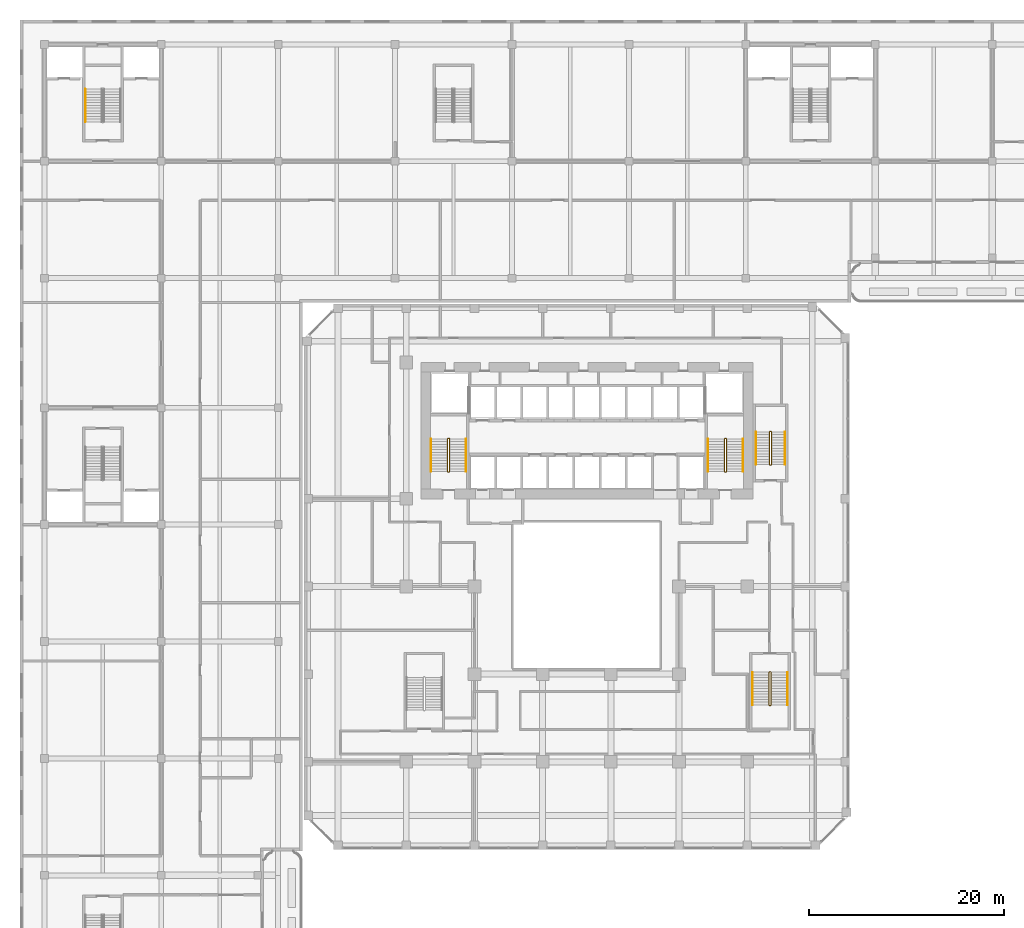
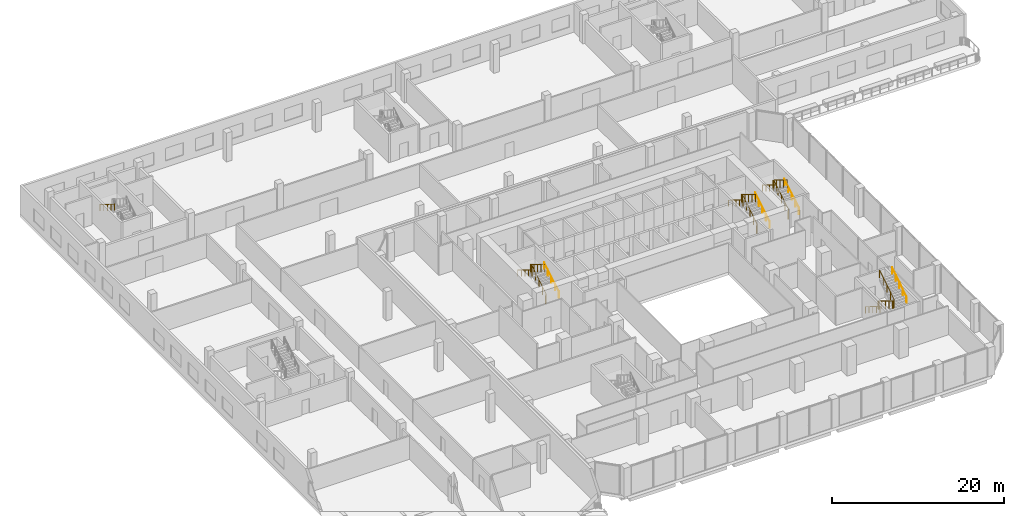
# One storey, part 30 of 35: 13 railings.
"""IFC4 building model written with IfcOpenShell, lengths in metres."""

from ifc_helpers import new_model, si_unit, direction, frame, origin, origin_2d, place, context, subcontext, project, spatial, circle, extrude, material, type_object, element, save


model = new_model("IFC4")

# Units and contexts
model_context = context("Model", 3, precision=1e-05, world=origin(), true_north=direction((0.0, 1.0)))
body_context = subcontext(model_context, "Body", "Model", "MODEL_VIEW")
ifc_project = project(units=[si_unit("LENGTHUNIT", "METRE"), si_unit("AREAUNIT", "SQUARE_METRE"), si_unit("VOLUMEUNIT", "CUBIC_METRE"), si_unit("PLANEANGLEUNIT", "RADIAN"), si_unit("MASSUNIT", "GRAM", prefix="KILO")], contexts=[model_context])

# Site, building, storey
site_placement = place(None, origin())
site = spatial("IfcSite", under=ifc_project, at=site_placement, CompositionType="ELEMENT")
building_placement = place(site_placement, origin())
building = spatial("IfcBuilding", under=site, at=building_placement, Name="Kilnfold Tower and Market Hall", CompositionType="ELEMENT")
storey_placement = place(building_placement, frame((0.0, 0.0, 13.5)))
storey = spatial("IfcBuildingStorey", under=building, at=storey_placement, Name="L02", CompositionType="ELEMENT", Elevation=13.5)

# Railings
ifc_material_1 = material(Name="Stainless steel 316", Category="steel")
railing_type_1 = type_object("IfcRailingType", Name="CORE STAIR GUARD 1100", PredefinedType="GUARDRAIL", material=ifc_material_1)
railing_1_placement = place(storey_placement, frame((-13.199951171875, 10.75, 0.0)))
element("IfcRailing", 1, at=railing_1_placement, inside=storey, type_object=railing_type_1, Name="L02 ST1 stair guard 1", PredefinedType="GUARDRAIL", context=body_context, shape_type="SweptSolid", body=[
    extrude(circle(Radius=0.02392578125, at=origin_2d()), frame((0.0, 0.0, 1.076171875), z_axis=(1.0, 0.0, 0.0), x_axis=(0.0, 1.0, 0.0)), (0.0, 0.0, 1.0), 0.099853515625),
    extrude(circle(Radius=0.02392578125, at=origin_2d()), frame((0.099853515625, 0.0, 1.076171875), z_axis=(0.267629722418, 0.267629722418, 0.925607186314), x_axis=(-0.707106781187, 0.707106781187, 0.0)), (0.0, 0.0, 1.0), 0.18701171875),
    extrude(circle(Radius=0.02392578125, at=origin_2d()), frame((0.14990234375, 0.050048828125, 1.2490234375), z_axis=(0.0, 0.850606129759, 0.525803396734), x_axis=(-1.0, 0.0, 0.0)), (0.0, 0.0, 1.0), 3.949951171875),
    extrude(circle(Radius=0.02392578125, at=origin_2d()), frame((0.14990234375, 3.409912109375, 3.326171875), z_axis=(-0.707106781187, 0.707106781187, 0.0), x_axis=(-0.707106781187, -0.707106781187, 0.0)), (0.0, 0.0, 1.0), 0.07080078125),
    extrude(circle(Radius=0.02392578125, at=origin_2d()), frame((0.099853515625, 3.4599609375, 3.326171875), z_axis=(-1.0, 0.0, 0.0), x_axis=(0.0, -1.0, 0.0)), (0.0, 0.0, 1.0), 0.099853515625),
    extrude(circle(Radius=0.02392578125, at=origin_2d()), frame((0.0, 3.4599609375, 3.326171875), z_axis=(-0.267629722418, -0.267629722418, 0.925607186314), x_axis=(0.707106781187, -0.707106781187, 0.0)), (0.0, 0.0, 1.0), 0.18701171875),
    extrude(circle(Radius=0.02392578125, at=origin_2d()), frame((-0.050048828125, 3.409912109375, 3.4990234375), z_axis=(0.0, -0.850606129759, 0.525803396734), x_axis=(1.0, 0.0, 0.0)), (0.0, 0.0, 1.0), 3.949951171875),
    extrude(circle(Radius=0.02099609375, at=origin_2d()), origin(), (0.0, 0.0, 1.0), 1.052001953125),
    extrude(circle(Radius=0.02099609375, at=origin_2d()), frame((0.099853515625, 0.0, 0.0)), (0.0, 0.0, 1.0), 1.052001953125),
    extrude(circle(Radius=0.02099609375, at=origin_2d()), frame((0.14990234375, 0.050048828125, 0.173095703125)), (0.0, 0.0, 1.0), 1.052001953125),
    extrude(circle(Radius=0.02099609375, at=origin_2d()), frame((0.14990234375, 0.89013671875, 0.6923828125)), (0.0, 0.0, 1.0), 1.052001953125),
    extrude(circle(Radius=0.02099609375, at=origin_2d()), frame((0.14990234375, 1.72998046875, 1.21142578125)), (0.0, 0.0, 1.0), 1.052001953125),
    extrude(circle(Radius=0.02099609375, at=origin_2d()), frame((0.14990234375, 2.56982421875, 1.730712890625)), (0.0, 0.0, 1.0), 1.052001953125),
    extrude(circle(Radius=0.02099609375, at=origin_2d()), frame((0.14990234375, 3.409912109375, 2.25)), (0.0, 0.0, 1.0), 1.052001953125),
    extrude(circle(Radius=0.02099609375, at=origin_2d()), frame((0.099853515625, 3.4599609375, 2.25)), (0.0, 0.0, 1.0), 1.052001953125),
    extrude(circle(Radius=0.02099609375, at=origin_2d()), frame((0.0, 3.4599609375, 2.25)), (0.0, 0.0, 1.0), 1.052001953125),
    extrude(circle(Radius=0.02099609375, at=origin_2d()), frame((-0.050048828125, 3.409912109375, 2.423095703125)), (0.0, 0.0, 1.0), 1.052001953125),
    extrude(circle(Radius=0.02099609375, at=origin_2d()), frame((-0.050048828125, 2.56982421875, 2.9423828125)), (0.0, 0.0, 1.0), 1.052001953125),
    extrude(circle(Radius=0.02099609375, at=origin_2d()), frame((-0.050048828125, 1.72998046875, 3.46142578125)), (0.0, 0.0, 1.0), 1.052001953125),
    extrude(circle(Radius=0.02099609375, at=origin_2d()), frame((-0.050048828125, 0.89013671875, 3.980712890625)), (0.0, 0.0, 1.0), 1.052001953125),
    extrude(circle(Radius=0.02099609375, at=origin_2d()), frame((-0.050048828125, 0.050048828125, 4.5)), (0.0, 0.0, 1.0), 1.052001953125),
])
railing_2_placement = place(storey_placement, frame((15.199951171875, 10.75, 0.0)))
element("IfcRailing", 2, at=railing_2_placement, inside=storey, type_object=railing_type_1, Name="L02 ST2 stair guard 1", PredefinedType="GUARDRAIL", context=body_context, shape_type="SweptSolid", body=[
    extrude(circle(Radius=0.02392578125, at=origin_2d()), frame((0.0, 0.0, 1.076171875), z_axis=(1.0, 0.0, 0.0), x_axis=(0.0, 1.0, 0.0)), (0.0, 0.0, 1.0), 0.10009765625),
    extrude(circle(Radius=0.02392578125, at=origin_2d()), frame((0.10009765625, 0.0, 1.076171875), z_axis=(0.267629722418, 0.267629722418, 0.925607186314), x_axis=(-0.707106781187, 0.707106781187, 0.0)), (0.0, 0.0, 1.0), 0.18701171875),
    extrude(circle(Radius=0.02392578125, at=origin_2d()), frame((0.150146484375, 0.050048828125, 1.2490234375), z_axis=(0.0, 0.850606129759, 0.525803396734), x_axis=(-1.0, 0.0, 0.0)), (0.0, 0.0, 1.0), 3.949951171875),
    extrude(circle(Radius=0.02392578125, at=origin_2d()), frame((0.150146484375, 3.409912109375, 3.326171875), z_axis=(-0.707106781187, 0.707106781187, 0.0), x_axis=(-0.707106781187, -0.707106781187, 0.0)), (0.0, 0.0, 1.0), 0.07080078125),
    extrude(circle(Radius=0.02392578125, at=origin_2d()), frame((0.10009765625, 3.4599609375, 3.326171875), z_axis=(-1.0, 0.0, 0.0), x_axis=(0.0, -1.0, 0.0)), (0.0, 0.0, 1.0), 0.10009765625),
    extrude(circle(Radius=0.02392578125, at=origin_2d()), frame((0.0, 3.4599609375, 3.326171875), z_axis=(-0.267629722418, -0.267629722418, 0.925607186314), x_axis=(0.707106781187, -0.707106781187, 0.0)), (0.0, 0.0, 1.0), 0.18701171875),
    extrude(circle(Radius=0.02392578125, at=origin_2d()), frame((-0.050048828125, 3.409912109375, 3.4990234375), z_axis=(0.0, -0.850606129759, 0.525803396734), x_axis=(1.0, 0.0, 0.0)), (0.0, 0.0, 1.0), 3.949951171875),
    extrude(circle(Radius=0.02099609375, at=origin_2d()), origin(), (0.0, 0.0, 1.0), 1.052001953125),
    extrude(circle(Radius=0.02099609375, at=origin_2d()), frame((0.10009765625, 0.0, 0.0)), (0.0, 0.0, 1.0), 1.052001953125),
    extrude(circle(Radius=0.02099609375, at=origin_2d()), frame((0.150146484375, 0.050048828125, 0.173095703125)), (0.0, 0.0, 1.0), 1.052001953125),
    extrude(circle(Radius=0.02099609375, at=origin_2d()), frame((0.150146484375, 0.89013671875, 0.6923828125)), (0.0, 0.0, 1.0), 1.052001953125),
    extrude(circle(Radius=0.02099609375, at=origin_2d()), frame((0.150146484375, 1.72998046875, 1.21142578125)), (0.0, 0.0, 1.0), 1.052001953125),
    extrude(circle(Radius=0.02099609375, at=origin_2d()), frame((0.150146484375, 2.56982421875, 1.730712890625)), (0.0, 0.0, 1.0), 1.052001953125),
    extrude(circle(Radius=0.02099609375, at=origin_2d()), frame((0.150146484375, 3.409912109375, 2.25)), (0.0, 0.0, 1.0), 1.052001953125),
    extrude(circle(Radius=0.02099609375, at=origin_2d()), frame((0.10009765625, 3.4599609375, 2.25)), (0.0, 0.0, 1.0), 1.052001953125),
    extrude(circle(Radius=0.02099609375, at=origin_2d()), frame((0.0, 3.4599609375, 2.25)), (0.0, 0.0, 1.0), 1.052001953125),
    extrude(circle(Radius=0.02099609375, at=origin_2d()), frame((-0.050048828125, 3.409912109375, 2.423095703125)), (0.0, 0.0, 1.0), 1.052001953125),
    extrude(circle(Radius=0.02099609375, at=origin_2d()), frame((-0.050048828125, 2.56982421875, 2.9423828125)), (0.0, 0.0, 1.0), 1.052001953125),
    extrude(circle(Radius=0.02099609375, at=origin_2d()), frame((-0.050048828125, 1.72998046875, 3.46142578125)), (0.0, 0.0, 1.0), 1.052001953125),
    extrude(circle(Radius=0.02099609375, at=origin_2d()), frame((-0.050048828125, 0.89013671875, 3.980712890625)), (0.0, 0.0, 1.0), 1.052001953125),
    extrude(circle(Radius=0.02099609375, at=origin_2d()), frame((-0.050048828125, 0.050048828125, 4.5)), (0.0, 0.0, 1.0), 1.052001953125),
])
railing_3_placement = place(storey_placement, frame((19.89990234375, -9.75, 0.0)))
element("IfcRailing", 3, at=railing_3_placement, inside=storey, type_object=railing_type_1, Name="L02 ST4 stair guard 1", PredefinedType="GUARDRAIL", context=body_context, shape_type="SweptSolid", body=[
    extrude(circle(Radius=0.02392578125, at=origin_2d()), frame((0.0, 0.0, 1.076171875), z_axis=(-1.0, 0.0, 0.0), x_axis=(0.0, -1.0, 0.0)), (0.0, 0.0, 1.0), 0.099853515625),
    extrude(circle(Radius=0.02392578125, at=origin_2d()), frame((-0.099853515625, 0.0, 1.076171875), z_axis=(-0.267629722418, -0.267629722418, 0.925607186314), x_axis=(0.707106781187, -0.707106781187, 0.0)), (0.0, 0.0, 1.0), 0.18701171875),
    extrude(circle(Radius=0.02392578125, at=origin_2d()), frame((-0.14990234375, -0.050048828125, 1.2490234375), z_axis=(0.0, -0.850606129759, 0.525803396734), x_axis=(1.0, 0.0, 0.0)), (0.0, 0.0, 1.0), 3.949951171875),
    extrude(circle(Radius=0.02392578125, at=origin_2d()), frame((-0.14990234375, -3.409912109375, 3.326171875), z_axis=(0.707106781187, -0.707106781187, 0.0), x_axis=(0.707106781187, 0.707106781187, 0.0)), (0.0, 0.0, 1.0), 0.07080078125),
    extrude(circle(Radius=0.02392578125, at=origin_2d()), frame((-0.099853515625, -3.4599609375, 3.326171875), z_axis=(1.0, 0.0, 0.0), x_axis=(0.0, 1.0, 0.0)), (0.0, 0.0, 1.0), 0.099853515625),
    extrude(circle(Radius=0.02392578125, at=origin_2d()), frame((0.0, -3.4599609375, 3.326171875), z_axis=(0.267629722418, 0.267629722418, 0.925607186314), x_axis=(-0.707106781187, 0.707106781187, 0.0)), (0.0, 0.0, 1.0), 0.18701171875),
    extrude(circle(Radius=0.02392578125, at=origin_2d()), frame((0.050048828125, -3.409912109375, 3.4990234375), z_axis=(0.0, 0.850606129759, 0.525803396734), x_axis=(-1.0, 0.0, 0.0)), (0.0, 0.0, 1.0), 3.949951171875),
    extrude(circle(Radius=0.02099609375, at=origin_2d()), origin(), (0.0, 0.0, 1.0), 1.052001953125),
    extrude(circle(Radius=0.02099609375, at=origin_2d()), frame((-0.099853515625, 0.0, 0.0)), (0.0, 0.0, 1.0), 1.052001953125),
    extrude(circle(Radius=0.02099609375, at=origin_2d()), frame((-0.14990234375, -0.050048828125, 0.173095703125)), (0.0, 0.0, 1.0), 1.052001953125),
    extrude(circle(Radius=0.02099609375, at=origin_2d()), frame((-0.14990234375, -0.89013671875, 0.6923828125)), (0.0, 0.0, 1.0), 1.052001953125),
    extrude(circle(Radius=0.02099609375, at=origin_2d()), frame((-0.14990234375, -1.72998046875, 1.21142578125)), (0.0, 0.0, 1.0), 1.052001953125),
    extrude(circle(Radius=0.02099609375, at=origin_2d()), frame((-0.14990234375, -2.56982421875, 1.730712890625)), (0.0, 0.0, 1.0), 1.052001953125),
    extrude(circle(Radius=0.02099609375, at=origin_2d()), frame((-0.14990234375, -3.409912109375, 2.25)), (0.0, 0.0, 1.0), 1.052001953125),
    extrude(circle(Radius=0.02099609375, at=origin_2d()), frame((-0.099853515625, -3.4599609375, 2.25)), (0.0, 0.0, 1.0), 1.052001953125),
    extrude(circle(Radius=0.02099609375, at=origin_2d()), frame((0.0, -3.4599609375, 2.25)), (0.0, 0.0, 1.0), 1.052001953125),
    extrude(circle(Radius=0.02099609375, at=origin_2d()), frame((0.050048828125, -3.409912109375, 2.423095703125)), (0.0, 0.0, 1.0), 1.052001953125),
    extrude(circle(Radius=0.02099609375, at=origin_2d()), frame((0.050048828125, -2.56982421875, 2.9423828125)), (0.0, 0.0, 1.0), 1.052001953125),
    extrude(circle(Radius=0.02099609375, at=origin_2d()), frame((0.050048828125, -1.72998046875, 3.46142578125)), (0.0, 0.0, 1.0), 1.052001953125),
    extrude(circle(Radius=0.02099609375, at=origin_2d()), frame((0.050048828125, -0.89013671875, 3.980712890625)), (0.0, 0.0, 1.0), 1.052001953125),
    extrude(circle(Radius=0.02099609375, at=origin_2d()), frame((0.050048828125, -0.050048828125, 4.5)), (0.0, 0.0, 1.0), 1.052001953125),
])
railing_4_placement = place(storey_placement, frame((19.85009765625, 11.449951171875, 0.0)))
element("IfcRailing", 4, at=railing_4_placement, inside=storey, type_object=railing_type_1, Name="L02 ST5 stair guard 1", PredefinedType="GUARDRAIL", context=body_context, shape_type="SweptSolid", body=[
    extrude(circle(Radius=0.02392578125, at=origin_2d()), frame((0.0, 0.0, 1.076171875), z_axis=(1.0, 0.0, 0.0), x_axis=(0.0, 1.0, 0.0)), (0.0, 0.0, 1.0), 0.099853515625),
    extrude(circle(Radius=0.02392578125, at=origin_2d()), frame((0.099853515625, 0.0, 1.076171875), z_axis=(0.267629722418, 0.267629722418, 0.925607186314), x_axis=(-0.707106781187, 0.707106781187, 0.0)), (0.0, 0.0, 1.0), 0.18701171875),
    extrude(circle(Radius=0.02392578125, at=origin_2d()), frame((0.14990234375, 0.050048828125, 1.2490234375), z_axis=(0.0, 0.850623216509, 0.525775754039), x_axis=(-1.0, 0.0, 0.0)), (0.0, 0.0, 1.0), 3.9501953125),
    extrude(circle(Radius=0.02392578125, at=origin_2d()), frame((0.14990234375, 3.41015625, 3.326171875), z_axis=(-0.708833529934, 0.705375805398, 0.0), x_axis=(-0.705375805398, -0.708833529934, 0.0)), (0.0, 0.0, 1.0), 0.070556640625),
    extrude(circle(Radius=0.02392578125, at=origin_2d()), frame((0.099853515625, 3.4599609375, 3.326171875), z_axis=(-1.0, 0.0, 0.0), x_axis=(0.0, -1.0, 0.0)), (0.0, 0.0, 1.0), 0.099853515625),
    extrude(circle(Radius=0.02392578125, at=origin_2d()), frame((0.0, 3.4599609375, 3.326171875), z_axis=(-0.267723051232, -0.266417085129, 0.925929967433), x_axis=(0.705375805398, -0.708833529934, 0.0)), (0.0, 0.0, 1.0), 0.18701171875),
    extrude(circle(Radius=0.02392578125, at=origin_2d()), frame((-0.050048828125, 3.41015625, 3.4990234375), z_axis=(0.0, -0.850623216509, 0.525775754039), x_axis=(1.0, 0.0, 0.0)), (0.0, 0.0, 1.0), 3.9501953125),
    extrude(circle(Radius=0.02099609375, at=origin_2d()), origin(), (0.0, 0.0, 1.0), 1.052001953125),
    extrude(circle(Radius=0.02099609375, at=origin_2d()), frame((0.099853515625, 0.0, 0.0)), (0.0, 0.0, 1.0), 1.052001953125),
    extrude(circle(Radius=0.02099609375, at=origin_2d()), frame((0.14990234375, 0.050048828125, 0.173095703125)), (0.0, 0.0, 1.0), 1.052001953125),
    extrude(circle(Radius=0.02099609375, at=origin_2d()), frame((0.14990234375, 0.89013671875, 0.6923828125)), (0.0, 0.0, 1.0), 1.052001953125),
    extrude(circle(Radius=0.02099609375, at=origin_2d()), frame((0.14990234375, 1.72998046875, 1.21142578125)), (0.0, 0.0, 1.0), 1.052001953125),
    extrude(circle(Radius=0.02099609375, at=origin_2d()), frame((0.14990234375, 2.570068359375, 1.730712890625)), (0.0, 0.0, 1.0), 1.052001953125),
    extrude(circle(Radius=0.02099609375, at=origin_2d()), frame((0.14990234375, 3.41015625, 2.25)), (0.0, 0.0, 1.0), 1.052001953125),
    extrude(circle(Radius=0.02099609375, at=origin_2d()), frame((0.099853515625, 3.4599609375, 2.25)), (0.0, 0.0, 1.0), 1.052001953125),
    extrude(circle(Radius=0.02099609375, at=origin_2d()), frame((0.0, 3.4599609375, 2.25)), (0.0, 0.0, 1.0), 1.052001953125),
    extrude(circle(Radius=0.02099609375, at=origin_2d()), frame((-0.050048828125, 3.41015625, 2.423095703125)), (0.0, 0.0, 1.0), 1.052001953125),
    extrude(circle(Radius=0.02099609375, at=origin_2d()), frame((-0.050048828125, 2.570068359375, 2.9423828125)), (0.0, 0.0, 1.0), 1.052001953125),
    extrude(circle(Radius=0.02099609375, at=origin_2d()), frame((-0.050048828125, 1.72998046875, 3.46142578125)), (0.0, 0.0, 1.0), 1.052001953125),
    extrude(circle(Radius=0.02099609375, at=origin_2d()), frame((-0.050048828125, 0.89013671875, 3.980712890625)), (0.0, 0.0, 1.0), 1.052001953125),
    extrude(circle(Radius=0.02099609375, at=origin_2d()), frame((-0.050048828125, 0.050048828125, 4.5)), (0.0, 0.0, 1.0), 1.052001953125),
])
ifc_material_2 = material(Name="Stainless steel 316", Category="steel")
railing_type_2 = type_object("IfcRailingType", Name="CORE STAIR HANDRAIL 900", PredefinedType="HANDRAIL", material=ifc_material_2)
railing_5_placement = place(storey_placement, frame((-11.35009765625, 10.800048828125, 0.173095703125)))
element("IfcRailing", 5, at=railing_5_placement, inside=storey, type_object=railing_type_2, Name="L02 ST1 stair handrail 1", PredefinedType="HANDRAIL", context=body_context, shape_type="SweptSolid", body=[
    extrude(circle(Radius=0.02392578125, at=origin_2d()), frame((0.0, 0.0, 0.8759765625), z_axis=(0.0, 0.850606129759, 0.525803396734), x_axis=(-1.0, 0.0, 0.0)), (0.0, 0.0, 1.0), 3.949951171875),
    extrude(circle(Radius=0.02099609375, at=origin_2d()), origin(), (0.0, 0.0, 1.0), 0.851806640625),
    extrude(circle(Radius=0.02099609375, at=origin_2d()), frame((0.0, 0.83984375, 0.519287109375)), (0.0, 0.0, 1.0), 0.851806640625),
    extrude(circle(Radius=0.02099609375, at=origin_2d()), frame((0.0, 1.679931640625, 1.03857421875)), (0.0, 0.0, 1.0), 0.851806640625),
    extrude(circle(Radius=0.02099609375, at=origin_2d()), frame((0.0, 2.52001953125, 1.5576171875)), (0.0, 0.0, 1.0), 0.851806640625),
    extrude(circle(Radius=0.02099609375, at=origin_2d()), frame((0.0, 3.35986328125, 2.076904296875)), (0.0, 0.0, 1.0), 0.851806640625),
])
railing_6_placement = place(storey_placement, frame((-14.949951171875, 14.159912109375, 2.423095703125)))
element("IfcRailing", 6, at=railing_6_placement, inside=storey, type_object=railing_type_2, Name="L02 ST1 stair handrail 2", PredefinedType="HANDRAIL", context=body_context, shape_type="SweptSolid", body=[
    extrude(circle(Radius=0.02392578125, at=origin_2d()), frame((0.0, 0.0, 0.8759765625), z_axis=(0.0, -0.850606129759, 0.525803396734), x_axis=(1.0, 0.0, 0.0)), (0.0, 0.0, 1.0), 3.949951171875),
    extrude(circle(Radius=0.02099609375, at=origin_2d()), origin(), (0.0, 0.0, 1.0), 0.851806640625),
    extrude(circle(Radius=0.02099609375, at=origin_2d()), frame((0.0, -0.83984375, 0.519287109375)), (0.0, 0.0, 1.0), 0.851806640625),
    extrude(circle(Radius=0.02099609375, at=origin_2d()), frame((0.0, -1.679931640625, 1.03857421875)), (0.0, 0.0, 1.0), 0.851806640625),
    extrude(circle(Radius=0.02099609375, at=origin_2d()), frame((0.0, -2.52001953125, 1.5576171875)), (0.0, 0.0, 1.0), 0.851806640625),
    extrude(circle(Radius=0.02099609375, at=origin_2d()), frame((0.0, -3.35986328125, 2.076904296875)), (0.0, 0.0, 1.0), 0.851806640625),
])
railing_7_placement = place(storey_placement, frame((17.050048828125, 10.800048828125, 0.173095703125)))
element("IfcRailing", 7, at=railing_7_placement, inside=storey, type_object=railing_type_2, Name="L02 ST2 stair handrail 1", PredefinedType="HANDRAIL", context=body_context, shape_type="SweptSolid", body=[
    extrude(circle(Radius=0.02392578125, at=origin_2d()), frame((0.0, 0.0, 0.8759765625), z_axis=(0.0, 0.850606129759, 0.525803396734), x_axis=(-1.0, 0.0, 0.0)), (0.0, 0.0, 1.0), 3.949951171875),
    extrude(circle(Radius=0.02099609375, at=origin_2d()), origin(), (0.0, 0.0, 1.0), 0.851806640625),
    extrude(circle(Radius=0.02099609375, at=origin_2d()), frame((0.0, 0.83984375, 0.519287109375)), (0.0, 0.0, 1.0), 0.851806640625),
    extrude(circle(Radius=0.02099609375, at=origin_2d()), frame((0.0, 1.679931640625, 1.03857421875)), (0.0, 0.0, 1.0), 0.851806640625),
    extrude(circle(Radius=0.02099609375, at=origin_2d()), frame((0.0, 2.52001953125, 1.5576171875)), (0.0, 0.0, 1.0), 0.851806640625),
    extrude(circle(Radius=0.02099609375, at=origin_2d()), frame((0.0, 3.35986328125, 2.076904296875)), (0.0, 0.0, 1.0), 0.851806640625),
])
for number, where, name in (
    (8, (13.449951171875, 14.159912109375, 2.423095703125), "L02 ST2 stair handrail 2"),
    (9, (18.050048828125, -9.800048828125, 0.173095703125), "L02 ST4 stair handrail 1"),
):
    element("IfcRailing", number, at=place(storey_placement, frame(where)), inside=storey, type_object=railing_type_2, Name=name, PredefinedType="HANDRAIL", context=body_context, shape_type="SweptSolid", body=[
        extrude(circle(Radius=0.02392578125, at=origin_2d()), frame((0.0, 0.0, 0.8759765625), z_axis=(0.0, -0.850606129759, 0.525803396734), x_axis=(1.0, 0.0, 0.0)), (0.0, 0.0, 1.0), 3.949951171875),
        extrude(circle(Radius=0.02099609375, at=origin_2d()), origin(), (0.0, 0.0, 1.0), 0.851806640625),
        extrude(circle(Radius=0.02099609375, at=origin_2d()), frame((0.0, -0.83984375, 0.519287109375)), (0.0, 0.0, 1.0), 0.851806640625),
        extrude(circle(Radius=0.02099609375, at=origin_2d()), frame((0.0, -1.679931640625, 1.03857421875)), (0.0, 0.0, 1.0), 0.851806640625),
        extrude(circle(Radius=0.02099609375, at=origin_2d()), frame((0.0, -2.52001953125, 1.5576171875)), (0.0, 0.0, 1.0), 0.851806640625),
        extrude(circle(Radius=0.02099609375, at=origin_2d()), frame((0.0, -3.35986328125, 2.076904296875)), (0.0, 0.0, 1.0), 0.851806640625),
    ])
railing_8_placement = place(storey_placement, frame((21.64990234375, -13.159912109375, 2.423095703125)))
element("IfcRailing", 10, at=railing_8_placement, inside=storey, type_object=railing_type_2, Name="L02 ST4 stair handrail 2", PredefinedType="HANDRAIL", context=body_context, shape_type="SweptSolid", body=[
    extrude(circle(Radius=0.02392578125, at=origin_2d()), frame((0.0, 0.0, 0.8759765625), z_axis=(0.0, 0.850606129759, 0.525803396734), x_axis=(-1.0, 0.0, 0.0)), (0.0, 0.0, 1.0), 3.949951171875),
    extrude(circle(Radius=0.02099609375, at=origin_2d()), origin(), (0.0, 0.0, 1.0), 0.851806640625),
    extrude(circle(Radius=0.02099609375, at=origin_2d()), frame((0.0, 0.83984375, 0.519287109375)), (0.0, 0.0, 1.0), 0.851806640625),
    extrude(circle(Radius=0.02099609375, at=origin_2d()), frame((0.0, 1.679931640625, 1.03857421875)), (0.0, 0.0, 1.0), 0.851806640625),
    extrude(circle(Radius=0.02099609375, at=origin_2d()), frame((0.0, 2.52001953125, 1.5576171875)), (0.0, 0.0, 1.0), 0.851806640625),
    extrude(circle(Radius=0.02099609375, at=origin_2d()), frame((0.0, 3.35986328125, 2.076904296875)), (0.0, 0.0, 1.0), 0.851806640625),
])
railing_9_placement = place(storey_placement, frame((21.39990234375, 11.5, 0.173095703125)))
element("IfcRailing", 11, at=railing_9_placement, inside=storey, type_object=railing_type_2, Name="L02 ST5 stair handrail 1", PredefinedType="HANDRAIL", context=body_context, shape_type="SweptSolid", body=[
    extrude(circle(Radius=0.02392578125, at=origin_2d()), frame((0.0, 0.0, 0.8759765625), z_axis=(0.0, 0.850623216509, 0.525775754039), x_axis=(-1.0, 0.0, 0.0)), (0.0, 0.0, 1.0), 3.9501953125),
    extrude(circle(Radius=0.02099609375, at=origin_2d()), origin(), (0.0, 0.0, 1.0), 0.851806640625),
    extrude(circle(Radius=0.02099609375, at=origin_2d()), frame((0.0, 0.840087890625, 0.519287109375)), (0.0, 0.0, 1.0), 0.851806640625),
    extrude(circle(Radius=0.02099609375, at=origin_2d()), frame((0.0, 1.68017578125, 1.03857421875)), (0.0, 0.0, 1.0), 0.851806640625),
    extrude(circle(Radius=0.02099609375, at=origin_2d()), frame((0.0, 2.52001953125, 1.5576171875)), (0.0, 0.0, 1.0), 0.851806640625),
    extrude(circle(Radius=0.02099609375, at=origin_2d()), frame((0.0, 3.360107421875, 2.076904296875)), (0.0, 0.0, 1.0), 0.851806640625),
])
railing_10_placement = place(storey_placement, frame((18.39990234375, 14.860107421875, 2.423095703125)))
element("IfcRailing", 12, at=railing_10_placement, inside=storey, type_object=railing_type_2, Name="L02 ST5 stair handrail 2", PredefinedType="HANDRAIL", context=body_context, shape_type="SweptSolid", body=[
    extrude(circle(Radius=0.02392578125, at=origin_2d()), frame((0.0, 0.0, 0.8759765625), z_axis=(0.0, -0.850623216509, 0.525775754039), x_axis=(1.0, 0.0, 0.0)), (0.0, 0.0, 1.0), 3.9501953125),
    extrude(circle(Radius=0.02099609375, at=origin_2d()), origin(), (0.0, 0.0, 1.0), 0.851806640625),
    extrude(circle(Radius=0.02099609375, at=origin_2d()), frame((0.0, -0.840087890625, 0.519287109375)), (0.0, 0.0, 1.0), 0.851806640625),
    extrude(circle(Radius=0.02099609375, at=origin_2d()), frame((0.0, -1.68017578125, 1.03857421875)), (0.0, 0.0, 1.0), 0.851806640625),
    extrude(circle(Radius=0.02099609375, at=origin_2d()), frame((0.0, -2.52001953125, 1.5576171875)), (0.0, 0.0, 1.0), 0.851806640625),
    extrude(circle(Radius=0.02099609375, at=origin_2d()), frame((0.0, -3.360107421875, 2.076904296875)), (0.0, 0.0, 1.0), 0.851806640625),
])
ifc_material_3 = material(Name="Steel S355", Category="steel")
railing_type_3 = type_object("IfcRailingType", Name="HALL STAIR HANDRAIL", PredefinedType="HANDRAIL", material=ifc_material_3)
railing_11_placement = place(storey_placement, frame((-50.449951171875, 50.06005859375, 2.423095703125)))
element("IfcRailing", 13, at=railing_11_placement, inside=storey, type_object=railing_type_3, Name="L02 MS3 stair handrail 2", PredefinedType="HANDRAIL", context=body_context, shape_type="SweptSolid", body=[
    extrude(circle(Radius=0.02392578125, at=origin_2d()), frame((0.0, 0.0, 0.8759765625), z_axis=(0.0, -0.850623216509, 0.525775754039), x_axis=(1.0, 0.0, 0.0)), (0.0, 0.0, 1.0), 3.9501953125),
    extrude(circle(Radius=0.02099609375, at=origin_2d()), origin(), (0.0, 0.0, 1.0), 0.851806640625),
    extrude(circle(Radius=0.02099609375, at=origin_2d()), frame((0.0, -0.840087890625, 0.519287109375)), (0.0, 0.0, 1.0), 0.851806640625),
    extrude(circle(Radius=0.02099609375, at=origin_2d()), frame((0.0, -1.68017578125, 1.03857421875)), (0.0, 0.0, 1.0), 0.851806640625),
    extrude(circle(Radius=0.02099609375, at=origin_2d()), frame((0.0, -2.52001953125, 1.5576171875)), (0.0, 0.0, 1.0), 0.851806640625),
    extrude(circle(Radius=0.02099609375, at=origin_2d()), frame((0.0, -3.360107421875, 2.076904296875)), (0.0, 0.0, 1.0), 0.851806640625),
])

save(model, "model.ifc")
